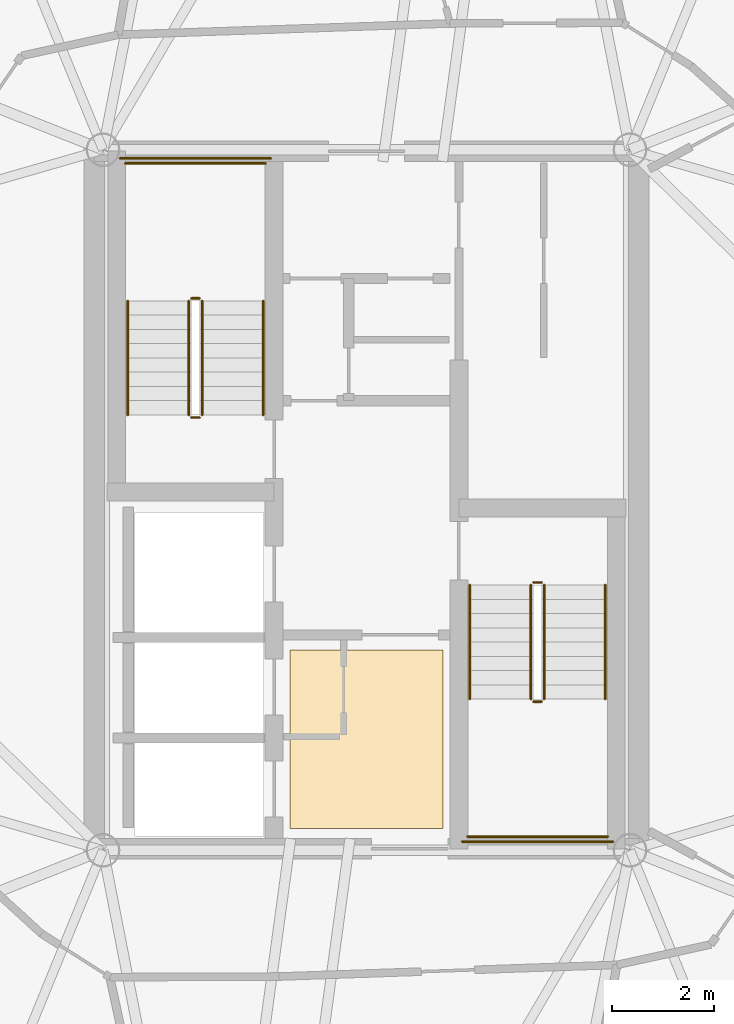
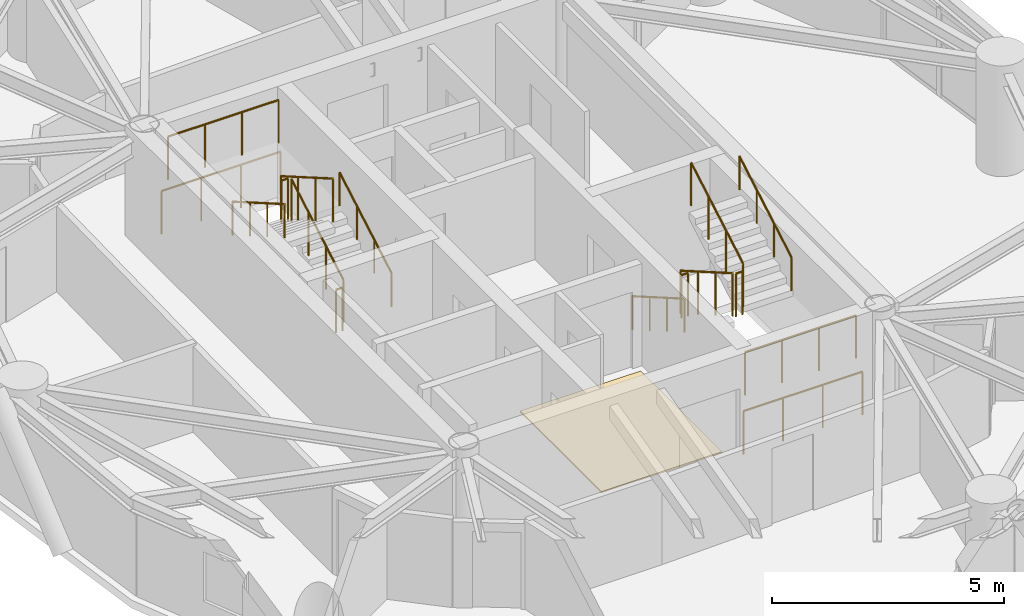
# One storey, part 15 of 16: 16 railings, 1 covering.
"""IFC4 building model written with IfcOpenShell, lengths in metres."""

from ifc_helpers import new_model, si_unit, direction, frame, origin, origin_2d, place, context, subcontext, project, spatial, polyline, circle, outline, extrude, material, layer, layer_set, type_object, element, save


model = new_model("IFC4")

# Units and contexts
model_context = context("Model", 3, precision=1e-05, world=origin(), true_north=direction((0.0, 1.0)))
body_context = subcontext(model_context, "Body", "Model", "MODEL_VIEW")
ifc_project = project(units=[si_unit("LENGTHUNIT", "METRE"), si_unit("AREAUNIT", "SQUARE_METRE"), si_unit("VOLUMEUNIT", "CUBIC_METRE"), si_unit("PLANEANGLEUNIT", "RADIAN"), si_unit("MASSUNIT", "GRAM", prefix="KILO")], contexts=[model_context])

# Site, building, storey
site_placement = place(None, origin())
site = spatial("IfcSite", under=ifc_project, at=site_placement, CompositionType="ELEMENT")
building_placement = place(site_placement, origin())
building = spatial("IfcBuilding", under=site, at=building_placement, Name="Cununo Teusaquillo Station Towers", CompositionType="ELEMENT")
storey_placement = place(building_placement, frame((0.0, 0.0, 211.2099609375)))
storey = spatial("IfcBuildingStorey", under=building, at=storey_placement, Name="L67", CompositionType="ELEMENT", Elevation=211.2099609375)

# Covering
ifc_material_1 = material(Name="Polished basalt-chip terrazzo floor finish", Category="masonry")
ifc_layer = layer(ifc_material_1, 0.034912109375)
ifc_layer_set = layer_set([ifc_layer], Name="Polished basalt-chip terrazzo floor finish")
covering_type = type_object("IfcCoveringType", Name="COV-FLR-TERR", PredefinedType="FLOORING", material=ifc_layer_set)
covering_placement = place(storey_placement, origin())
element("IfcCovering", 1, at=covering_placement, inside=storey, type_object=covering_type, Name="L67 Polished Terrazzo Floor Finish", PredefinedType="FLOORING", context=body_context, shape_type="SweptSolid", body=[
    extrude(outline(polyline([(15.0, 18.050048828125), (18.0, 18.050048828125), (18.0, 21.550048828125), (15.0, 21.550048828125), (15.0, 18.050048828125)])), origin(), (0.0, 0.0, 1.0), 0.03515625),
])

# Railings
ifc_material_2 = material(Name="Steel EN 10025-2 S355J2", Category="steel")
railing_type_1 = type_object("IfcRailingType", Name="RL-INT-GUARD", PredefinedType="GUARDRAIL", material=ifc_material_2)
railing_1_placement = place(storey_placement, frame((13.27001953125, 26.169921875, 0.16162109375)))
element("IfcRailing", 2, at=railing_1_placement, inside=storey, type_object=railing_type_1, Name="L67 ST-T1-1 stair guard 1", PredefinedType="GUARDRAIL", context=body_context, shape_type="SweptSolid", body=[
    extrude(circle(Radius=0.02392578125, at=origin_2d()), frame((0.0, 0.0, 1.1259765625), z_axis=(0.0, 0.865992244559, 0.500057429065), x_axis=(-1.0, 0.0, 0.0)), (0.0, 0.0, 1.0), 2.586669921875),
    extrude(circle(Radius=0.02099609375, at=origin_2d()), origin(), (0.0, 0.0, 1.0), 1.101806640625),
    extrude(circle(Radius=0.02099609375, at=origin_2d()), frame((0.0, 0.74658203125, 0.43115234375)), (0.0, 0.0, 1.0), 1.101806640625),
    extrude(circle(Radius=0.02099609375, at=origin_2d()), frame((0.0, 1.493408203125, 0.8623046875)), (0.0, 0.0, 1.0), 1.101806640625),
    extrude(circle(Radius=0.02099609375, at=origin_2d()), frame((0.0, 2.239990234375, 1.29345703125)), (0.0, 0.0, 1.0), 1.101806640625),
])
railing_2_placement = place(storey_placement, frame((13.219970703125, 28.4599609375, 1.455078125)))
element("IfcRailing", 3, at=railing_2_placement, inside=storey, type_object=railing_type_1, Name="L67 ST-T1-1 stair guard 2", PredefinedType="GUARDRAIL", context=body_context, shape_type="SweptSolid", body=[
    extrude(circle(Radius=0.02392578125, at=origin_2d()), frame((0.0, 0.0, 1.1259765625), z_axis=(-1.0, 0.0, 0.0), x_axis=(0.0, -1.0, 0.0)), (0.0, 0.0, 1.0), 0.159912109375),
    extrude(circle(Radius=0.02099609375, at=origin_2d()), origin(), (0.0, 0.0, 1.0), 1.101806640625),
    extrude(circle(Radius=0.02099609375, at=origin_2d()), frame((-0.159912109375, 0.0, 0.0)), (0.0, 0.0, 1.0), 1.101806640625),
])
railing_3_placement = place(storey_placement, frame((14.52001953125, 31.110107421875, 1.455078125)))
element("IfcRailing", 4, at=railing_3_placement, inside=storey, type_object=railing_type_1, Name="L67 ST-T1-1 stair guard 3", PredefinedType="GUARDRAIL", context=body_context, shape_type="SweptSolid", body=[
    extrude(circle(Radius=0.02392578125, at=origin_2d()), frame((0.0, 0.0, 1.1259765625), z_axis=(-1.0, 0.0, 0.0), x_axis=(0.0, -1.0, 0.0)), (0.0, 0.0, 1.0), 2.760009765625),
    extrude(circle(Radius=0.02099609375, at=origin_2d()), origin(), (0.0, 0.0, 1.0), 1.101806640625),
    extrude(circle(Radius=0.02099609375, at=origin_2d()), frame((-0.919921875, 0.0, 0.0)), (0.0, 0.0, 1.0), 1.101806640625),
    extrude(circle(Radius=0.02099609375, at=origin_2d()), frame((-1.840087890625, 0.0, 0.0)), (0.0, 0.0, 1.0), 1.101806640625),
    extrude(circle(Radius=0.02099609375, at=origin_2d()), frame((-2.760009765625, 0.0, 0.0)), (0.0, 0.0, 1.0), 1.101806640625),
])
railing_4_placement = place(storey_placement, frame((13.010009765625, 28.409912109375, 1.61669921875)))
element("IfcRailing", 5, at=railing_4_placement, inside=storey, type_object=railing_type_1, Name="L67 ST-T1-1 stair guard 4", PredefinedType="GUARDRAIL", context=body_context, shape_type="SweptSolid", body=[
    extrude(circle(Radius=0.02392578125, at=origin_2d()), frame((0.0, 0.0, 1.1259765625), z_axis=(0.0, -0.865992244559, 0.500057429065), x_axis=(1.0, 0.0, 0.0)), (0.0, 0.0, 1.0), 2.586669921875),
    extrude(circle(Radius=0.02099609375, at=origin_2d()), origin(), (0.0, 0.0, 1.0), 1.101806640625),
    extrude(circle(Radius=0.02099609375, at=origin_2d()), frame((0.0, -0.74658203125, 0.43115234375)), (0.0, 0.0, 1.0), 1.101806640625),
    extrude(circle(Radius=0.02099609375, at=origin_2d()), frame((0.0, -1.493408203125, 0.8623046875)), (0.0, 0.0, 1.0), 1.101806640625),
    extrude(circle(Radius=0.02099609375, at=origin_2d()), frame((0.0, -2.239990234375, 1.29345703125)), (0.0, 0.0, 1.0), 1.101806640625),
])
railing_5_placement = place(storey_placement, frame((13.219970703125, 26.1201171875, 0.0)))
element("IfcRailing", 6, at=railing_5_placement, inside=storey, type_object=railing_type_1, Name="L67 ST-T1-1 stair guard 5", PredefinedType="GUARDRAIL", context=body_context, shape_type="SweptSolid", body=[
    extrude(circle(Radius=0.02392578125, at=origin_2d()), frame((0.0, 0.0, 1.1259765625), z_axis=(-1.0, 0.0, 0.0), x_axis=(0.0, -1.0, 0.0)), (0.0, 0.0, 1.0), 0.159912109375),
    extrude(circle(Radius=0.02099609375, at=origin_2d()), origin(), (0.0, 0.0, 1.0), 1.101806640625),
    extrude(circle(Radius=0.02099609375, at=origin_2d()), frame((-0.159912109375, 0.0, 0.0)), (0.0, 0.0, 1.0), 1.101806640625),
])
railing_6_placement = place(storey_placement, frame((14.6201171875, 31.2099609375, 0.0)))
element("IfcRailing", 7, at=railing_6_placement, inside=storey, type_object=railing_type_1, Name="L67 ST-T1-1 stair guard 6", PredefinedType="GUARDRAIL", context=body_context, shape_type="SweptSolid", body=[
    extrude(circle(Radius=0.02392578125, at=origin_2d()), frame((0.0, 0.0, 1.1259765625), z_axis=(-1.0, 0.0, 0.0), x_axis=(0.0, -1.0, 0.0)), (0.0, 0.0, 1.0), 2.960205078125),
    extrude(circle(Radius=0.02099609375, at=origin_2d()), origin(), (0.0, 0.0, 1.0), 1.101806640625),
    extrude(circle(Radius=0.02099609375, at=origin_2d()), frame((-0.98681640625, 0.0, 0.0)), (0.0, 0.0, 1.0), 1.101806640625),
    extrude(circle(Radius=0.02099609375, at=origin_2d()), frame((-1.973388671875, 0.0, 0.0)), (0.0, 0.0, 1.0), 1.101806640625),
    extrude(circle(Radius=0.02099609375, at=origin_2d()), frame((-2.960205078125, 0.0, 0.0)), (0.0, 0.0, 1.0), 1.101806640625),
])
railing_7_placement = place(storey_placement, frame((19.72998046875, 22.830078125, 0.16162109375)))
element("IfcRailing", 8, at=railing_7_placement, inside=storey, type_object=railing_type_1, Name="L67 ST-T1-2 stair guard 1", PredefinedType="GUARDRAIL", context=body_context, shape_type="SweptSolid", body=[
    extrude(circle(Radius=0.02392578125, at=origin_2d()), frame((0.0, 0.0, 1.1259765625), z_axis=(0.0, -0.865992244559, 0.500057429065), x_axis=(1.0, 0.0, 0.0)), (0.0, 0.0, 1.0), 2.586669921875),
    extrude(circle(Radius=0.02099609375, at=origin_2d()), origin(), (0.0, 0.0, 1.0), 1.101806640625),
    extrude(circle(Radius=0.02099609375, at=origin_2d()), frame((0.0, -0.74658203125, 0.43115234375)), (0.0, 0.0, 1.0), 1.101806640625),
    extrude(circle(Radius=0.02099609375, at=origin_2d()), frame((0.0, -1.493408203125, 0.8623046875)), (0.0, 0.0, 1.0), 1.101806640625),
    extrude(circle(Radius=0.02099609375, at=origin_2d()), frame((0.0, -2.239990234375, 1.29345703125)), (0.0, 0.0, 1.0), 1.101806640625),
])
railing_8_placement = place(storey_placement, frame((19.780029296875, 20.5400390625, 1.455078125)))
element("IfcRailing", 9, at=railing_8_placement, inside=storey, type_object=railing_type_1, Name="L67 ST-T1-2 stair guard 2", PredefinedType="GUARDRAIL", context=body_context, shape_type="SweptSolid", body=[
    extrude(circle(Radius=0.02392578125, at=origin_2d()), frame((0.0, 0.0, 1.1259765625), z_axis=(1.0, 0.0, 0.0), x_axis=(0.0, 1.0, 0.0)), (0.0, 0.0, 1.0), 0.159912109375),
    extrude(circle(Radius=0.02099609375, at=origin_2d()), origin(), (0.0, 0.0, 1.0), 1.101806640625),
    extrude(circle(Radius=0.02099609375, at=origin_2d()), frame((0.159912109375, 0.0, 0.0)), (0.0, 0.0, 1.0), 1.101806640625),
])
railing_9_placement = place(storey_placement, frame((18.47998046875, 17.889892578125, 1.455078125)))
element("IfcRailing", 10, at=railing_9_placement, inside=storey, type_object=railing_type_1, Name="L67 ST-T1-2 stair guard 3", PredefinedType="GUARDRAIL", context=body_context, shape_type="SweptSolid", body=[
    extrude(circle(Radius=0.02392578125, at=origin_2d()), frame((0.0, 0.0, 1.1259765625), z_axis=(1.0, 0.0, 0.0), x_axis=(0.0, 1.0, 0.0)), (0.0, 0.0, 1.0), 2.760009765625),
    extrude(circle(Radius=0.02099609375, at=origin_2d()), origin(), (0.0, 0.0, 1.0), 1.101806640625),
    extrude(circle(Radius=0.02099609375, at=origin_2d()), frame((0.919921875, 0.0, 0.0)), (0.0, 0.0, 1.0), 1.101806640625),
    extrude(circle(Radius=0.02099609375, at=origin_2d()), frame((1.840087890625, 0.0, 0.0)), (0.0, 0.0, 1.0), 1.101806640625),
    extrude(circle(Radius=0.02099609375, at=origin_2d()), frame((2.760009765625, 0.0, 0.0)), (0.0, 0.0, 1.0), 1.101806640625),
])
railing_10_placement = place(storey_placement, frame((19.989990234375, 20.590087890625, 1.61669921875)))
element("IfcRailing", 11, at=railing_10_placement, inside=storey, type_object=railing_type_1, Name="L67 ST-T1-2 stair guard 4", PredefinedType="GUARDRAIL", context=body_context, shape_type="SweptSolid", body=[
    extrude(circle(Radius=0.02392578125, at=origin_2d()), frame((0.0, 0.0, 1.1259765625), z_axis=(0.0, 0.865992244559, 0.500057429065), x_axis=(-1.0, 0.0, 0.0)), (0.0, 0.0, 1.0), 2.586669921875),
    extrude(circle(Radius=0.02099609375, at=origin_2d()), origin(), (0.0, 0.0, 1.0), 1.101806640625),
    extrude(circle(Radius=0.02099609375, at=origin_2d()), frame((0.0, 0.74658203125, 0.43115234375)), (0.0, 0.0, 1.0), 1.101806640625),
    extrude(circle(Radius=0.02099609375, at=origin_2d()), frame((0.0, 1.493408203125, 0.8623046875)), (0.0, 0.0, 1.0), 1.101806640625),
    extrude(circle(Radius=0.02099609375, at=origin_2d()), frame((0.0, 2.239990234375, 1.29345703125)), (0.0, 0.0, 1.0), 1.101806640625),
])
railing_11_placement = place(storey_placement, frame((19.780029296875, 22.8798828125, 0.0)))
element("IfcRailing", 12, at=railing_11_placement, inside=storey, type_object=railing_type_1, Name="L67 ST-T1-2 stair guard 5", PredefinedType="GUARDRAIL", context=body_context, shape_type="SweptSolid", body=[
    extrude(circle(Radius=0.02392578125, at=origin_2d()), frame((0.0, 0.0, 1.1259765625), z_axis=(1.0, 0.0, 0.0), x_axis=(0.0, 1.0, 0.0)), (0.0, 0.0, 1.0), 0.159912109375),
    extrude(circle(Radius=0.02099609375, at=origin_2d()), origin(), (0.0, 0.0, 1.0), 1.101806640625),
    extrude(circle(Radius=0.02099609375, at=origin_2d()), frame((0.159912109375, 0.0, 0.0)), (0.0, 0.0, 1.0), 1.101806640625),
])
railing_12_placement = place(storey_placement, frame((18.3798828125, 17.7900390625, 0.0)))
element("IfcRailing", 13, at=railing_12_placement, inside=storey, type_object=railing_type_1, Name="L67 ST-T1-2 stair guard 6", PredefinedType="GUARDRAIL", context=body_context, shape_type="SweptSolid", body=[
    extrude(circle(Radius=0.02392578125, at=origin_2d()), frame((0.0, 0.0, 1.1259765625), z_axis=(1.0, 0.0, 0.0), x_axis=(0.0, 1.0, 0.0)), (0.0, 0.0, 1.0), 2.960205078125),
    extrude(circle(Radius=0.02099609375, at=origin_2d()), origin(), (0.0, 0.0, 1.0), 1.101806640625),
    extrude(circle(Radius=0.02099609375, at=origin_2d()), frame((0.98681640625, 0.0, 0.0)), (0.0, 0.0, 1.0), 1.101806640625),
    extrude(circle(Radius=0.02099609375, at=origin_2d()), frame((1.973388671875, 0.0, 0.0)), (0.0, 0.0, 1.0), 1.101806640625),
    extrude(circle(Radius=0.02099609375, at=origin_2d()), frame((2.960205078125, 0.0, 0.0)), (0.0, 0.0, 1.0), 1.101806640625),
])
ifc_material_3 = material(Name="Steel EN 10025-2 S355J2", Category="steel")
railing_type_2 = type_object("IfcRailingType", Name="RL-INT-HRAIL", PredefinedType="HANDRAIL", material=ifc_material_3)
railing_13_placement = place(storey_placement, frame((14.469970703125, 26.169921875, 0.16162109375)))
element("IfcRailing", 14, at=railing_13_placement, inside=storey, type_object=railing_type_2, Name="L67 ST-T1-1 stair handrail 1", PredefinedType="HANDRAIL", context=body_context, shape_type="SweptSolid", body=[
    extrude(circle(Radius=0.02392578125, at=origin_2d()), frame((0.0, 0.0, 0.8759765625), z_axis=(0.0, 0.865992244559, 0.500057429065), x_axis=(-1.0, 0.0, 0.0)), (0.0, 0.0, 1.0), 2.586669921875),
    extrude(circle(Radius=0.02099609375, at=origin_2d()), origin(), (0.0, 0.0, 1.0), 0.851806640625),
    extrude(circle(Radius=0.02099609375, at=origin_2d()), frame((0.0, 0.74658203125, 0.43115234375)), (0.0, 0.0, 1.0), 0.851806640625),
    extrude(circle(Radius=0.02099609375, at=origin_2d()), frame((0.0, 1.493408203125, 0.8623046875)), (0.0, 0.0, 1.0), 0.851806640625),
    extrude(circle(Radius=0.02099609375, at=origin_2d()), frame((0.0, 2.239990234375, 1.29345703125)), (0.0, 0.0, 1.0), 0.851806640625),
])
for number, where, name in (
    (15, (11.81005859375, 28.409912109375, 1.61669921875), "L67 ST-T1-1 stair handrail 2"),
    (16, (18.530029296875, 22.830078125, 0.16162109375), "L67 ST-T1-2 stair handrail 1"),
):
    element("IfcRailing", number, at=place(storey_placement, frame(where)), inside=storey, type_object=railing_type_2, Name=name, PredefinedType="HANDRAIL", context=body_context, shape_type="SweptSolid", body=[
        extrude(circle(Radius=0.02392578125, at=origin_2d()), frame((0.0, 0.0, 0.8759765625), z_axis=(0.0, -0.865992244559, 0.500057429065), x_axis=(1.0, 0.0, 0.0)), (0.0, 0.0, 1.0), 2.586669921875),
        extrude(circle(Radius=0.02099609375, at=origin_2d()), origin(), (0.0, 0.0, 1.0), 0.851806640625),
        extrude(circle(Radius=0.02099609375, at=origin_2d()), frame((0.0, -0.74658203125, 0.43115234375)), (0.0, 0.0, 1.0), 0.851806640625),
        extrude(circle(Radius=0.02099609375, at=origin_2d()), frame((0.0, -1.493408203125, 0.8623046875)), (0.0, 0.0, 1.0), 0.851806640625),
        extrude(circle(Radius=0.02099609375, at=origin_2d()), frame((0.0, -2.239990234375, 1.29345703125)), (0.0, 0.0, 1.0), 0.851806640625),
    ])
railing_14_placement = place(storey_placement, frame((21.18994140625, 20.590087890625, 1.61669921875)))
element("IfcRailing", 17, at=railing_14_placement, inside=storey, type_object=railing_type_2, Name="L67 ST-T1-2 stair handrail 2", PredefinedType="HANDRAIL", context=body_context, shape_type="SweptSolid", body=[
    extrude(circle(Radius=0.02392578125, at=origin_2d()), frame((0.0, 0.0, 0.8759765625), z_axis=(0.0, 0.865992244559, 0.500057429065), x_axis=(-1.0, 0.0, 0.0)), (0.0, 0.0, 1.0), 2.586669921875),
    extrude(circle(Radius=0.02099609375, at=origin_2d()), origin(), (0.0, 0.0, 1.0), 0.851806640625),
    extrude(circle(Radius=0.02099609375, at=origin_2d()), frame((0.0, 0.74658203125, 0.43115234375)), (0.0, 0.0, 1.0), 0.851806640625),
    extrude(circle(Radius=0.02099609375, at=origin_2d()), frame((0.0, 1.493408203125, 0.8623046875)), (0.0, 0.0, 1.0), 0.851806640625),
    extrude(circle(Radius=0.02099609375, at=origin_2d()), frame((0.0, 2.239990234375, 1.29345703125)), (0.0, 0.0, 1.0), 0.851806640625),
])

save(model, "model.ifc")
